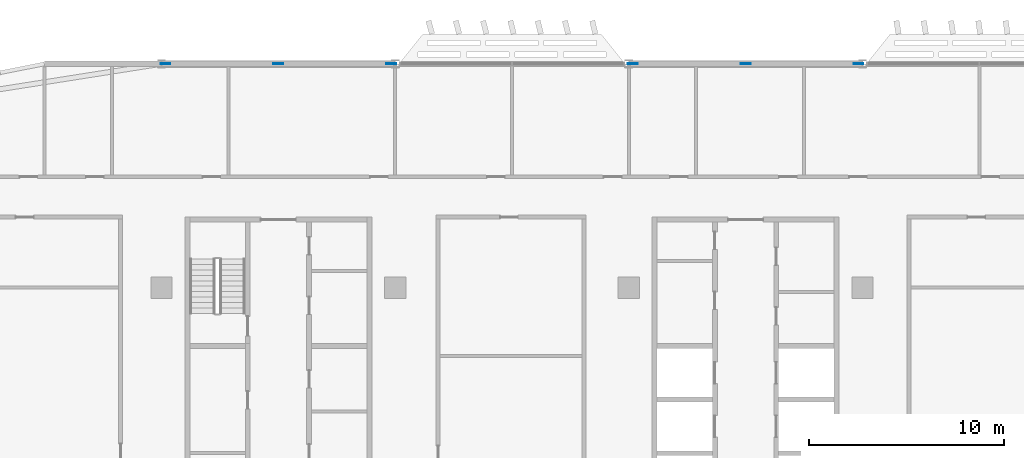
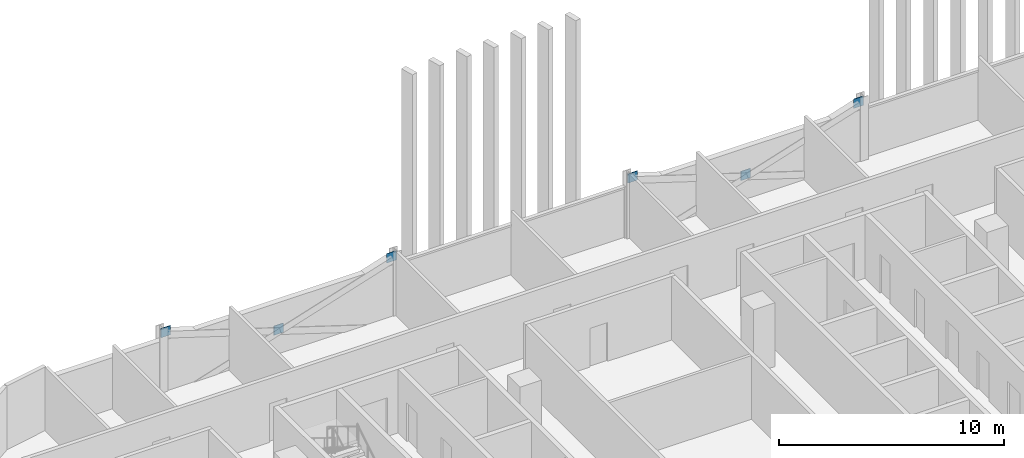
# One storey, part 22 of 30: 6 discrete accessories.
"""IFC4 building model written with IfcOpenShell, lengths in metres."""

from ifc_helpers import new_model, si_unit, direction, frame, origin, origin_2d, place, context, subcontext, project, spatial, rectangle, extrude, material, layer, layer_set, type_object, element, save


model = new_model("IFC4")

# Units and contexts
model_context = context("Model", 3, precision=1e-05, world=origin(), true_north=direction((0.0, 1.0)))
body_context = subcontext(model_context, "Body", "Model", "MODEL_VIEW")
ifc_project = project(units=[si_unit("LENGTHUNIT", "METRE"), si_unit("AREAUNIT", "SQUARE_METRE"), si_unit("VOLUMEUNIT", "CUBIC_METRE"), si_unit("PLANEANGLEUNIT", "RADIAN"), si_unit("MASSUNIT", "GRAM", prefix="KILO")], contexts=[model_context])

# Site, building, storey
site_placement = place(None, origin())
site = spatial("IfcSite", under=ifc_project, at=site_placement, CompositionType="ELEMENT")
building_placement = place(site_placement, origin())
building = spatial("IfcBuilding", under=site, at=building_placement, Name="Mahtab Terrace Research Tower", CompositionType="ELEMENT")
storey_placement = place(building_placement, frame((0.0, 0.0, 209.10009765625)))
storey = spatial("IfcBuildingStorey", under=building, at=storey_placement, Name="L50", CompositionType="ELEMENT", Elevation=209.10009765625)

# Discrete accessories
ifc_material = material(Name="Steel ASTM A992 Gr 50", Category="steel")
ifc_layer = layer(ifc_material, 0.030029296875)
ifc_layer_set = layer_set([ifc_layer], Name="Gusset plate 500x500x30")
discrete_accessory_type = type_object("IfcDiscreteAccessoryType", Name="Gusset plate 500x500x30", PredefinedType="USERDEFINED", material=ifc_layer_set)
for number, where, z_axis, x_axis, name in (
    (1, (-29.79931640625, 23.0, 2.870849609375), (0.0, 0.0, 1.0), (1.0, 0.0, 0.0), "Gusset plate"),
    (2, (-24.0, 23.0, 0.970703125), (0.0, 0.0, 1.0), (1.0, 0.0, 0.0), "Gusset plate"),
    (3, (-18.20068359375, 23.0, 2.870849609375), (0.0, 0.0, 1.0), (1.0, 0.0, 0.0), "Gusset plate"),
    (4, (-5.79931640625, 23.0, 2.870849609375), (0.0, 0.0, 1.0), (1.0, 0.0, 0.0), "Gusset plate"),
    (5, (0.0, 23.0, 0.970703125), (0.0, 0.0, 1.0), (1.0, 0.0, 0.0), "Gusset plate"),
    (6, (5.79931640625, 23.0, 2.870849609375), (0.0, 0.0, 1.0), (1.0, 0.0, 0.0), "Gusset plate"),
):
    element("IfcDiscreteAccessory", number, at=place(storey_placement, frame(where, z_axis=z_axis, x_axis=x_axis)), inside=storey, type_object=discrete_accessory_type, Name=name, ObjectType="GUSSET PLATE", PredefinedType="USERDEFINED", context=body_context, shape_type="SweptSolid", body=[
        extrude(rectangle(XDim=0.5, YDim=0.030029296875, at=origin_2d()), origin(), (0.0, 0.0, 1.0), 0.5),
    ])

save(model, "model.ifc")
